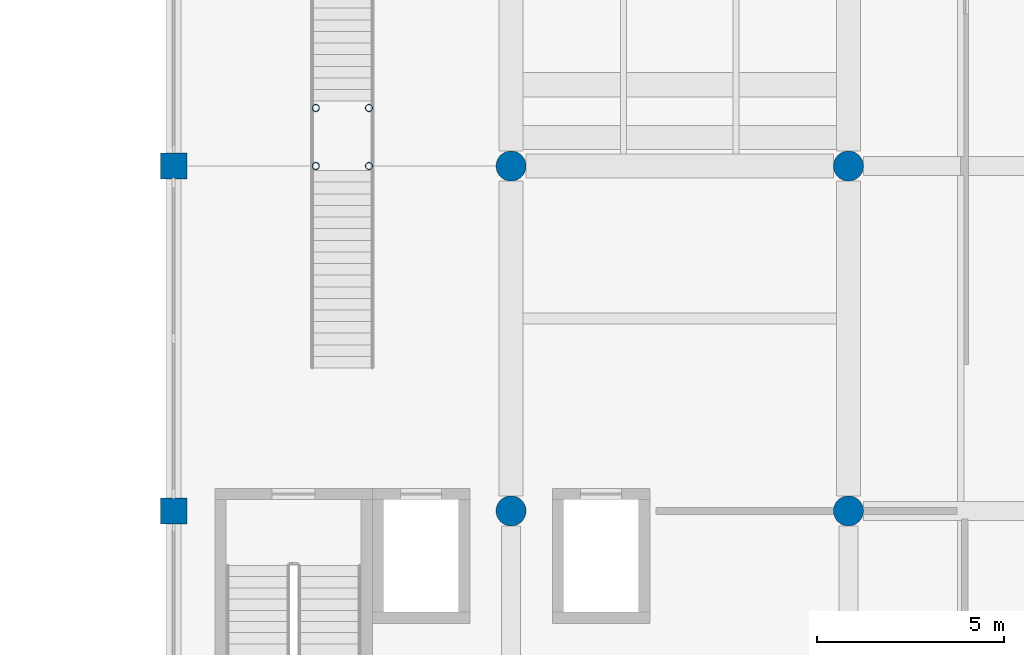
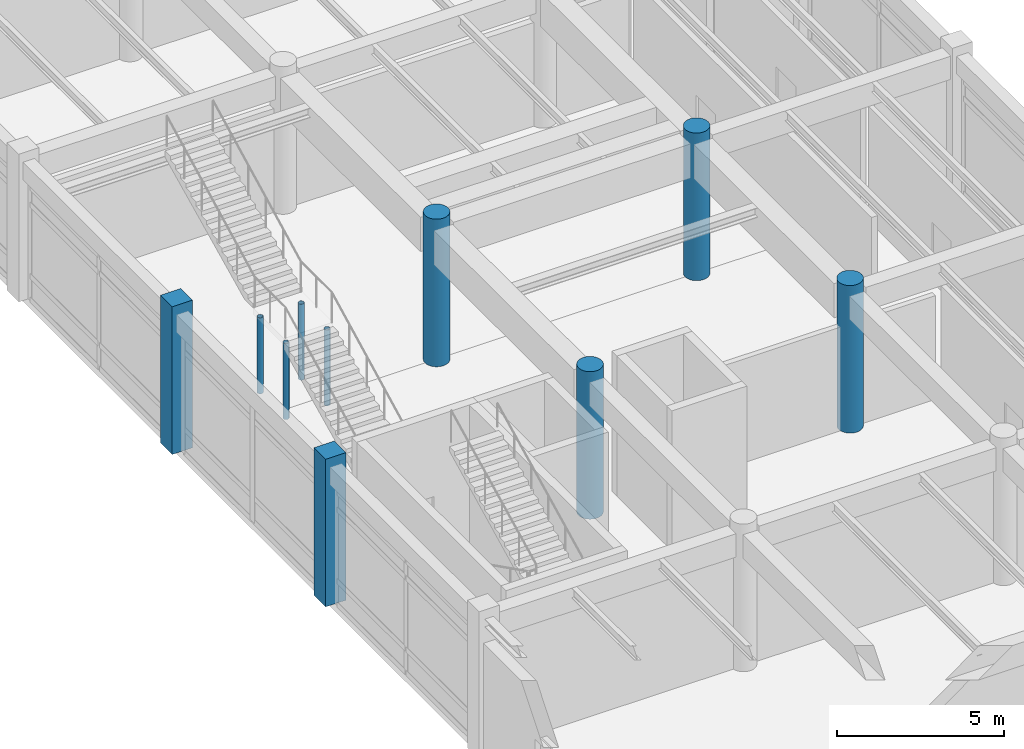
# One storey, part 18 of 76: 10 columns.
"""IFC4 building model written with IfcOpenShell, lengths in metres."""

from ifc_helpers import new_model, si_unit, direction, frame, origin, origin_2d, place, context, subcontext, project, spatial, rectangle, circle, hollow_circle, extrude, material, material_profile, profile_set, type_object, element, save


model = new_model("IFC4")

# Units and contexts
model_context = context("Model", 3, precision=1e-05, world=origin(), true_north=direction((0.0, 1.0)))
body_context = subcontext(model_context, "Body", "Model", "MODEL_VIEW")
ifc_project = project(units=[si_unit("LENGTHUNIT", "METRE"), si_unit("AREAUNIT", "SQUARE_METRE"), si_unit("VOLUMEUNIT", "CUBIC_METRE"), si_unit("PLANEANGLEUNIT", "RADIAN"), si_unit("MASSUNIT", "GRAM", prefix="KILO")], contexts=[model_context])

# Site, building, storey
site_placement = place(None, origin())
site = spatial("IfcSite", under=ifc_project, at=site_placement, CompositionType="ELEMENT")
building_placement = place(site_placement, origin())
building = spatial("IfcBuilding", under=site, at=building_placement, Name="Bozkorgan Art Gallery", CompositionType="ELEMENT")
storey_placement = place(building_placement, origin())
storey = spatial("IfcBuildingStorey", under=building, at=storey_placement, Name="L00", CompositionType="ELEMENT", Elevation=0.0)

# Columns
ifc_material_1 = material(Name="Steel S355J2", Category="steel")
ifc_material_profile_1 = material_profile(ifc_material_1, hollow_circle(Radius=0.096923828125, WallThickness=0.008056640625, at=origin_2d()), Name="CHS 193.7x8")
ifc_profile_set_1 = profile_set([ifc_material_profile_1], Name="Steel S355J2")
column_type_1 = type_object("IfcColumnType", Name="COL-FST-SUP", PredefinedType="COLUMN", material=ifc_profile_set_1)
for number, where, z_axis, x_axis, name in (
    (1, (77.7900390625, 75.199951171875, -0.320068359375), (0.0, 0.0, 1.0), (1.0, 0.0, 0.0), "ST9 intermediate landing post 1"),
    (2, (79.2099609375, 75.199951171875, -0.320068359375), (0.0, 0.0, 1.0), (1.0, 0.0, 0.0), "ST9 intermediate landing post 2"),
    (3, (77.7900390625, 76.75, -0.320068359375), (0.0, 0.0, 1.0), (1.0, 0.0, 0.0), "ST9 intermediate landing post 3"),
    (4, (79.2099609375, 76.75, -0.320068359375), (0.0, 0.0, 1.0), (1.0, 0.0, 0.0), "ST9 intermediate landing post 4"),
):
    element("IfcColumn", number, at=place(storey_placement, frame(where, z_axis=z_axis, x_axis=x_axis)), inside=storey, type_object=column_type_1, Name=name, PredefinedType="COLUMN", context=body_context, shape_type="SweptSolid", body=[
        extrude(hollow_circle(Radius=0.096923828125, WallThickness=0.008056640625, at=origin_2d()), origin(), (0.0, 0.0, 1.0), 2.780029296875),
    ])
ifc_material_2 = material(Name="Concrete C40/50", Category="concrete")
ifc_material_profile_2 = material_profile(ifc_material_2, circle(Radius=0.39990234375, at=origin_2d()), Name="RC D800")
ifc_profile_set_2 = profile_set([ifc_material_profile_2], Name="Concrete C40/50")
column_type_2 = type_object("IfcColumnType", Name="COLUMN-C-60", PredefinedType="COLUMN", material=ifc_profile_set_2)
for number, where, z_axis, x_axis, name in (
    (5, (83.0, 66.0, 0.0), (0.0, 0.0, 1.0), (1.0, 0.0, 0.0), "V4 L00 column (83.0, 66.0)"),
    (6, (83.0, 75.199951171875, 0.0), (0.0, 0.0, 1.0), (1.0, 0.0, 0.0), "V4 L00 column (83.0, 75.2)"),
    (7, (92.0, 66.0, 0.0), (0.0, 0.0, 1.0), (1.0, 0.0, 0.0), "V4 L00 column (92.0, 66.0)"),
    (8, (92.0, 75.199951171875, 0.0), (0.0, 0.0, 1.0), (1.0, 0.0, 0.0), "V4 L00 column (92.0, 75.2)"),
):
    element("IfcColumn", number, at=place(storey_placement, frame(where, z_axis=z_axis, x_axis=x_axis)), inside=storey, type_object=column_type_2, Name=name, PredefinedType="COLUMN", context=body_context, shape_type="SweptSolid", body=[
        extrude(circle(Radius=0.39990234375, at=origin_2d()), origin(), (0.0, 0.0, 1.0), 5.39990234375),
    ])
ifc_material_profile_3 = material_profile(ifc_material_2, rectangle(XDim=0.699951171875, YDim=0.699951171875, at=origin_2d()), Name="RC 700x700")
ifc_profile_set_3 = profile_set([ifc_material_profile_3], Name="Concrete C40/50")
column_type_3 = type_object("IfcColumnType", Name="COLUMN-C-73", PredefinedType="COLUMN", material=ifc_profile_set_3)
for number, where, z_axis, x_axis, name in (
    (9, (74.0, 66.0, 0.0), (0.0, 0.0, 1.0), (1.0, 0.0, 0.0), "V4 L00 column (74.0, 66.0)"),
    (10, (74.0, 75.199951171875, 0.0), (0.0, 0.0, 1.0), (1.0, 0.0, 0.0), "V4 L00 column (74.0, 75.2)"),
):
    element("IfcColumn", number, at=place(storey_placement, frame(where, z_axis=z_axis, x_axis=x_axis)), inside=storey, type_object=column_type_3, Name=name, PredefinedType="COLUMN", context=body_context, shape_type="SweptSolid", body=[
        extrude(rectangle(XDim=0.699951171875, YDim=0.699951171875, at=origin_2d()), origin(), (0.0, 0.0, 1.0), 5.39990234375),
    ])

save(model, "model.ifc")
